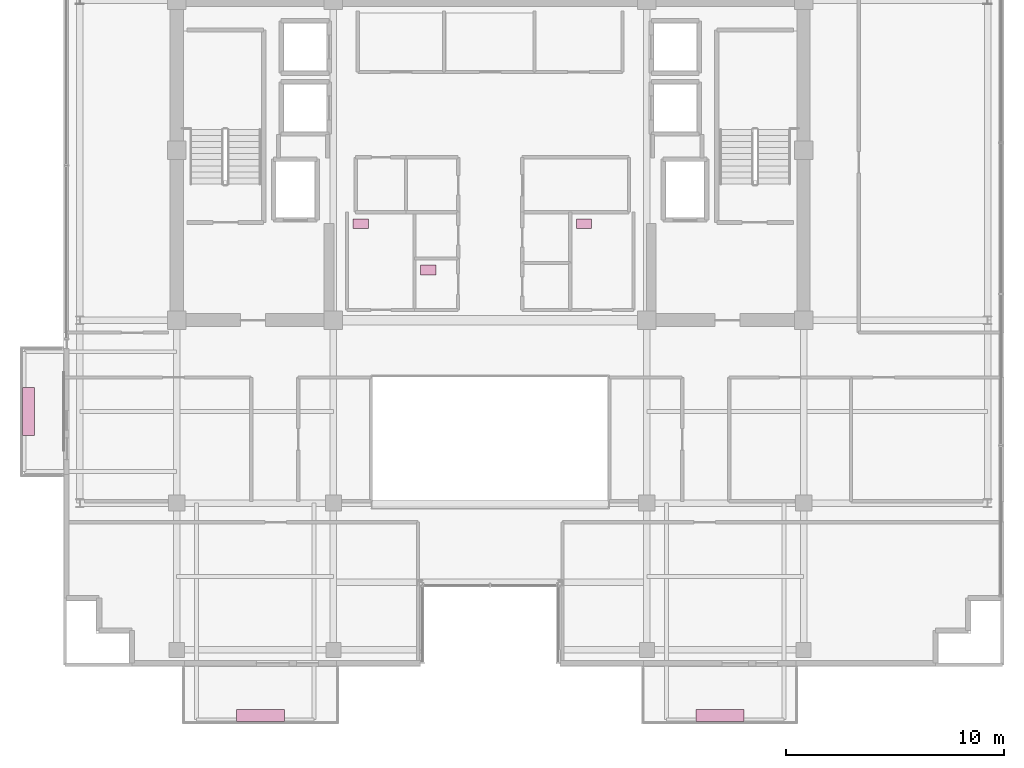
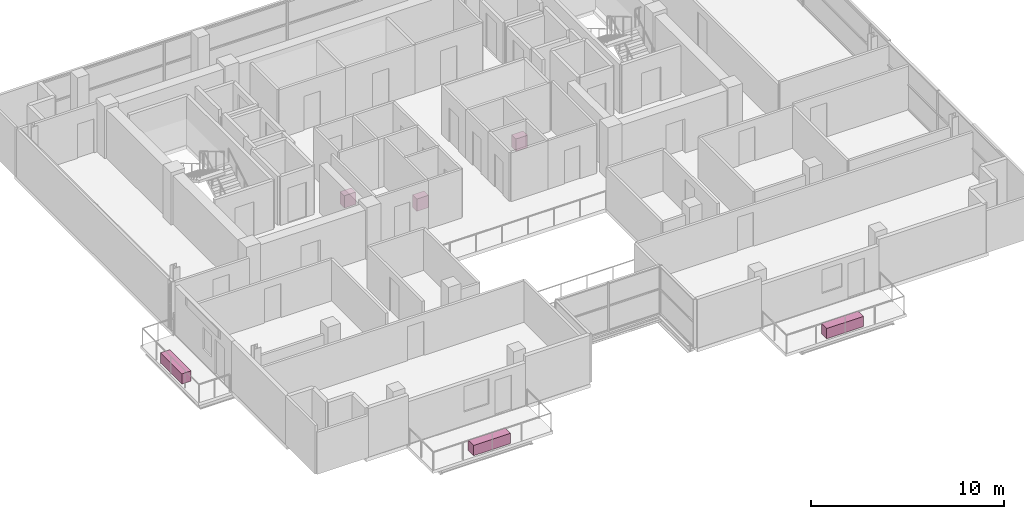
# One storey, part 21 of 21: 6 furnishings.
"""IFC4 building model written with IfcOpenShell, lengths in metres."""

from ifc_helpers import new_model, si_unit, direction, frame, origin, origin_2d, place, context, subcontext, project, spatial, rectangle, extrude, source, transform, mapped, material, type_object, element, save


model = new_model("IFC4")

# Units and contexts
model_context = context("Model", 3, precision=1e-05, world=origin(), true_north=direction((0.0, 1.0)))
body_context = subcontext(model_context, "Body", "Model", "MODEL_VIEW")
ifc_project = project(units=[si_unit("LENGTHUNIT", "METRE"), si_unit("AREAUNIT", "SQUARE_METRE"), si_unit("VOLUMEUNIT", "CUBIC_METRE"), si_unit("PLANEANGLEUNIT", "RADIAN"), si_unit("MASSUNIT", "GRAM", prefix="KILO")], contexts=[model_context])

# Site, building, storey
site_placement = place(None, origin())
site = spatial("IfcSite", under=ifc_project, at=site_placement, CompositionType="ELEMENT")
building_placement = place(site_placement, origin())
building = spatial("IfcBuilding", under=site, at=building_placement, Name="Zarnakvel Exchange Tower", CompositionType="ELEMENT")
storey_placement = place(building_placement, frame((0.0, 0.0, 241.89990234375)))
storey = spatial("IfcBuildingStorey", under=building, at=storey_placement, Name="L68", CompositionType="ELEMENT", Elevation=241.89990234375)

# Furnishings
ifc_material_1 = material(Name="Architectural Bronze Anodised Aluminium", Category="aluminium")
furnishing_element_type_1 = type_object("IfcFurnishingElementType", Name="PLNT-01", material=ifc_material_1)
shared_shape_1 = source(origin(), body_context, "Body", "SweptSolid", [
    extrude(rectangle(XDim=2.199951171875, YDim=0.550048828125, at=origin_2d()), origin(), (0.0, 0.0, 1.0), 0.64990234375),
])
for number, where, z_axis, x_axis, name in (
    (1, (-10.550048828125, -19.3701171875, -0.034912109375), (0.0, 0.0, 1.0), (1.0, 0.0, 0.0), "L68 Balcony Greenery Planter BAL-L68-SW"),
    (2, (10.550048828125, -19.3701171875, -0.034912109375), (0.0, 0.0, 1.0), (1.0, 0.0, 0.0), "L68 Balcony Greenery Planter BAL-L68-SE"),
    (3, (-21.219970703125, -5.39990234375, -0.034912109375), (0.0, 0.0, 1.0), (0.0, 1.0, 0.0), "L68 Balcony Greenery Planter BAL-L68-W"),
):
    element("IfcFurnishingElement", number, at=place(storey_placement, frame(where, z_axis=z_axis, x_axis=x_axis)), inside=storey, type_object=furnishing_element_type_1, Name=name, ObjectType="PLANTER", context=body_context, shape_type="MappedRepresentation", body=[
        mapped(shared_shape_1, transform((0.0, 0.0, 0.0), x_axis=(1.0, 0.0, 0.0), y_axis=(0.0, 1.0, 0.0), z_axis=(0.0, 0.0, 1.0), scale=1.0)),
    ])
ifc_material_2 = material(Name="Vitreous China Sanitaryware", Category="ceramic")
furnishing_element_type_2 = type_object("IfcFurnishingElementType", Name="SAN-WC", material=ifc_material_2)
shared_shape_2 = source(origin(), body_context, "Body", "SweptSolid", [
    extrude(rectangle(XDim=0.699951171875, YDim=0.449951171875, at=origin_2d()), origin(), (0.0, 0.0, 1.0), 0.780029296875),
])
for number, where, z_axis, x_axis, name in (
    (4, (-5.949951171875, 3.22998046875, 0.0), (0.0, 0.0, 1.0), (1.0, 0.0, 0.0), "L68 Sanitary Fixture (Male Toilet)"),
    (5, (-2.840087890625, 1.10009765625, 0.0), (0.0, 0.0, 1.0), (1.0, 0.0, 0.0), "L68 Sanitary Fixture (Accessible Toilet)"),
    (6, (4.31005859375, 3.22998046875, 0.0), (0.0, 0.0, 1.0), (1.0, 0.0, 0.0), "L68 Sanitary Fixture (Female Toilet)"),
):
    element("IfcFurnishingElement", number, at=place(storey_placement, frame(where, z_axis=z_axis, x_axis=x_axis)), inside=storey, type_object=furnishing_element_type_2, Name=name, ObjectType="SANITARY_FIXTURE", context=body_context, shape_type="MappedRepresentation", body=[
        mapped(shared_shape_2, transform((0.0, 0.0, 0.0), x_axis=(1.0, 0.0, 0.0), y_axis=(0.0, 1.0, 0.0), z_axis=(0.0, 0.0, 1.0), scale=1.0)),
    ])

save(model, "model.ifc")
